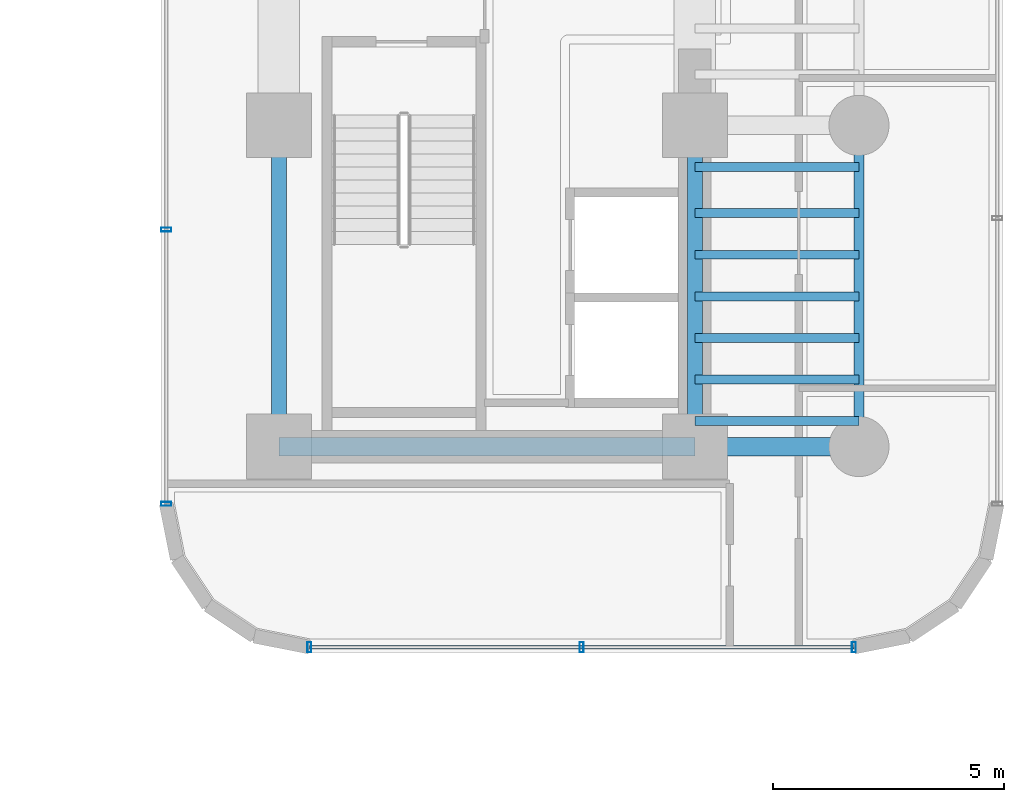
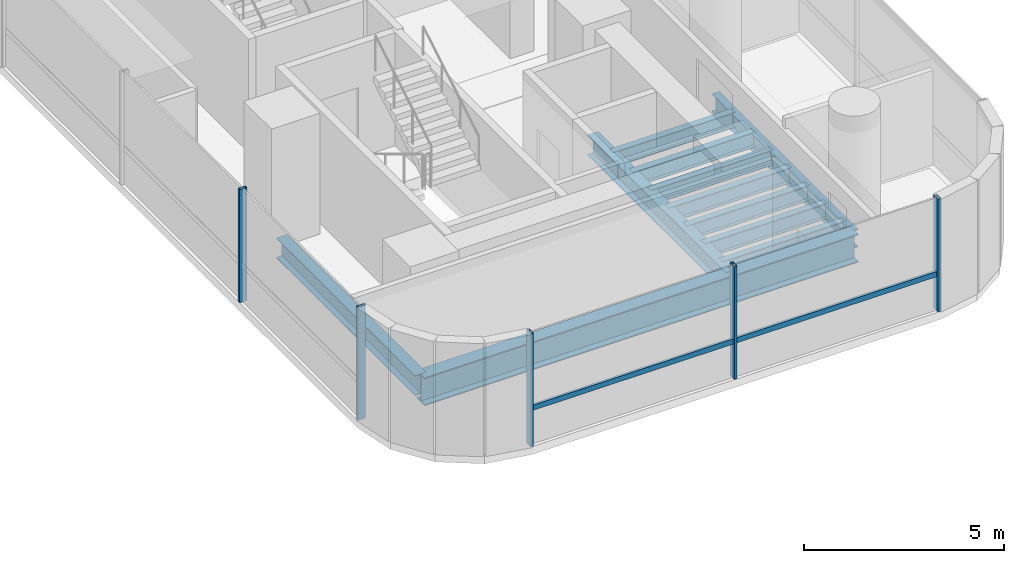
# One storey, part 14 of 41: 12 beams, 6 members, 2 elements without a shape of their own.
"""IFC4 building model written with IfcOpenShell, lengths in metres."""

from ifc_helpers import new_model, si_unit, direction, frame, origin, origin_2d, place, context, subcontext, project, spatial, hollow_rectangle, i_section, extrude, source, transform, mapped, material, material_profile, profile_set, type_object, element, aggregate, save


model = new_model("IFC4")

# Units and contexts
model_context = context("Model", 3, precision=1e-05, world=origin(), true_north=direction((0.0, 1.0)))
body_context = subcontext(model_context, "Body", "Model", "MODEL_VIEW")
ifc_project = project(units=[si_unit("LENGTHUNIT", "METRE"), si_unit("AREAUNIT", "SQUARE_METRE"), si_unit("VOLUMEUNIT", "CUBIC_METRE"), si_unit("PLANEANGLEUNIT", "RADIAN"), si_unit("MASSUNIT", "GRAM", prefix="KILO")], contexts=[model_context])

# Site, building, storey
site_placement = place(None, origin())
site = spatial("IfcSite", under=ifc_project, at=site_placement, CompositionType="ELEMENT")
building_placement = place(site_placement, origin())
building = spatial("IfcBuilding", under=site, at=building_placement, Name="Valdorenza Pilgrim Sanctuary Tower", CompositionType="ELEMENT")
storey_placement = place(building_placement, frame((0.0, 0.0, 85.199951171875)))
storey = spatial("IfcBuildingStorey", under=building, at=storey_placement, Name="L21", CompositionType="ELEMENT", Elevation=85.199951171875)

# Beams
ifc_material_1 = material(Name="Steel ASTM A992 Grade 50", Category="steel")
ifc_material_profile_1 = material_profile(ifc_material_1, i_section(OverallWidth=0.323974609375, OverallDepth=0.611083984375, WebThickness=0.0126953125, FlangeThickness=0.01904296875, at=origin_2d()), Name="W24X104")
ifc_profile_set_1 = profile_set([ifc_material_profile_1], Name="Steel ASTM A992 Grade 50")
beam_type_1 = type_object("IfcBeamType", Name="STR-BM-GRD-W24B", PredefinedType="BEAM", material=ifc_profile_set_1)
shared_shape_1 = source(origin(), body_context, "Body", "SweptSolid", [
    extrude(i_section(OverallWidth=0.323974609375, OverallDepth=0.611083984375, WebThickness=0.0126953125, FlangeThickness=0.01904296875, at=origin_2d()), origin(), (0.0, 0.0, 1.0), 6.949951171875),
])
for number, where, z_axis, x_axis, name in (
    (1, (15.85009765625, -9.550048828125, -0.54541015625), (0.0, 1.0, 0.0), (-1.0, 0.0, 0.0), "L21 Core Tie Girder CB-W-S1M0"),
    (2, (24.85009765625, -9.550048828125, -0.54541015625), (0.0, 1.0, 0.0), (-1.0, 0.0, 0.0), "L21 Core Tie Girder CB-E-S1M0"),
):
    element("IfcBeam", number, at=place(storey_placement, frame(where, z_axis=z_axis, x_axis=x_axis)), inside=storey, type_object=beam_type_1, Name=name, PredefinedType="BEAM", context=body_context, shape_type="MappedRepresentation", body=[
        mapped(shared_shape_1, transform((0.0, 0.0, 0.0), x_axis=(1.0, 0.0, 0.0), y_axis=(0.0, 1.0, 0.0), z_axis=(0.0, 0.0, 1.0), scale=1.0)),
    ])
ifc_material_profile_2 = material_profile(ifc_material_1, i_section(OverallWidth=0.214111328125, OverallDepth=0.549072265625, WebThickness=0.0146484375, FlangeThickness=0.023681640625, at=origin_2d()), Name="W21X93")
ifc_profile_set_2 = profile_set([ifc_material_profile_2], Name="Steel ASTM A992 Grade 50")
beam_type_2 = type_object("IfcBeamType", Name="STR-BM-SPN-W21A", PredefinedType="SPANDREL", material=ifc_profile_set_2)
shared_shape_2 = source(origin(), body_context, "Body", "SweptSolid", [
    extrude(i_section(OverallWidth=0.214111328125, OverallDepth=0.549072265625, WebThickness=0.0146484375, FlangeThickness=0.023681640625, at=origin_2d()), origin(), (0.0, 0.0, 1.0), 6.949951171875),
])
beam_1_placement = place(storey_placement, frame((28.39990234375, -9.550048828125, -0.514404296875), z_axis=(0.0, 1.0, 0.0), x_axis=(-1.0, 0.0, 0.0)))
element("IfcBeam", 3, at=beam_1_placement, inside=storey, type_object=beam_type_2, Name="L21 Spandrel Beam WB-E-S1M0", PredefinedType="SPANDREL", context=body_context, shape_type="MappedRepresentation", body=[
    mapped(shared_shape_2, transform((0.0, 0.0, 0.0), x_axis=(1.0, 0.0, 0.0), y_axis=(0.0, 1.0, 0.0), z_axis=(0.0, 0.0, 1.0), scale=1.0)),
])
ifc_material_profile_3 = material_profile(ifc_material_1, i_section(OverallWidth=0.193115234375, OverallDepth=0.466064453125, WebThickness=0.011474609375, FlangeThickness=0.01904296875, at=origin_2d()), Name="W18X65")
ifc_profile_set_3 = profile_set([ifc_material_profile_3], Name="Steel ASTM A992 Grade 50")
beam_type_3 = type_object("IfcBeamType", Name="STR-BM-JST-W18A", PredefinedType="JOIST", material=ifc_profile_set_3)
shared_shape_3 = source(origin(), body_context, "Body", "SweptSolid", [
    extrude(i_section(OverallWidth=0.193115234375, OverallDepth=0.466064453125, WebThickness=0.011474609375, FlangeThickness=0.01904296875, at=origin_2d()), origin(), (0.0, 0.0, 1.0), 3.5498046875),
])
for number, where, z_axis, x_axis, name in (
    (4, (24.85009765625, -9.0, -0.472900390625), (1.0, 0.0, 0.0), (0.0, 1.0, 0.0), "L21 Composite Floor Joist JST-WB-1"),
    (5, (24.85009765625, -8.10009765625, -0.472900390625), (1.0, 0.0, 0.0), (0.0, 1.0, 0.0), "L21 Composite Floor Joist JST-WB-2"),
    (6, (24.85009765625, -7.199951171875, -0.472900390625), (1.0, 0.0, 0.0), (0.0, 1.0, 0.0), "L21 Composite Floor Joist JST-WB-3"),
    (7, (24.85009765625, -6.300048828125, -0.472900390625), (1.0, 0.0, 0.0), (0.0, 1.0, 0.0), "L21 Composite Floor Joist JST-WB-4"),
    (8, (24.85009765625, -5.39990234375, -0.472900390625), (1.0, 0.0, 0.0), (0.0, 1.0, 0.0), "L21 Composite Floor Joist JST-WB-5"),
    (9, (24.85009765625, -4.5, -0.472900390625), (1.0, 0.0, 0.0), (0.0, 1.0, 0.0), "L21 Composite Floor Joist JST-WB-6"),
    (10, (24.85009765625, -3.5, -0.472900390625), (1.0, 0.0, 0.0), (0.0, 1.0, 0.0), "L21 Composite Floor Joist JST-WB-7"),
):
    element("IfcBeam", number, at=place(storey_placement, frame(where, z_axis=z_axis, x_axis=x_axis)), inside=storey, type_object=beam_type_3, Name=name, PredefinedType="JOIST", context=body_context, shape_type="MappedRepresentation", body=[
        mapped(shared_shape_3, transform((0.0, 0.0, 0.0), x_axis=(1.0, 0.0, 0.0), y_axis=(0.0, 1.0, 0.0), z_axis=(0.0, 0.0, 1.0), scale=1.0)),
    ])
ifc_material_profile_4 = material_profile(ifc_material_1, i_section(OverallWidth=0.39990234375, OverallDepth=0.862060546875, WebThickness=0.019775390625, FlangeThickness=0.032470703125, at=origin_2d()), Name="W33X221")
ifc_profile_set_4 = profile_set([ifc_material_profile_4], Name="Steel ASTM A992 Grade 50")
beam_type_4 = type_object("IfcBeamType", Name="STR-BM-GRD-W33", PredefinedType="BEAM", material=ifc_profile_set_4)
shared_shape_4 = source(origin(), body_context, "Body", "SweptSolid", [
    extrude(i_section(OverallWidth=0.39990234375, OverallDepth=0.862060546875, WebThickness=0.019775390625, FlangeThickness=0.032470703125, at=origin_2d()), origin(), (0.0, 0.0, 1.0), 9.0),
])
beam_2_placement = place(storey_placement, frame((15.85009765625, -9.550048828125, -0.6708984375), z_axis=(1.0, 0.0, 0.0), x_axis=(0.0, 1.0, 0.0)))
element("IfcBeam", 11, at=beam_2_placement, inside=storey, type_object=beam_type_4, Name="L21 Floor Girder CB-XC-S1", PredefinedType="BEAM", context=body_context, shape_type="MappedRepresentation", body=[
    mapped(shared_shape_4, transform((0.0, 0.0, 0.0), x_axis=(1.0, 0.0, 0.0), y_axis=(0.0, 1.0, 0.0), z_axis=(0.0, 0.0, 1.0), scale=1.0)),
])
shared_shape_5 = source(origin(), body_context, "Body", "SweptSolid", [
    extrude(i_section(OverallWidth=0.39990234375, OverallDepth=0.862060546875, WebThickness=0.019775390625, FlangeThickness=0.032470703125, at=origin_2d()), origin(), (0.0, 0.0, 1.0), 3.5498046875),
])
beam_3_placement = place(storey_placement, frame((24.85009765625, -9.550048828125, -0.6708984375), z_axis=(1.0, 0.0, 0.0), x_axis=(0.0, 1.0, 0.0)))
element("IfcBeam", 12, at=beam_3_placement, inside=storey, type_object=beam_type_4, Name="L21 Floor Girder WB-XE-S1", PredefinedType="BEAM", context=body_context, shape_type="MappedRepresentation", body=[
    mapped(shared_shape_5, transform((0.0, 0.0, 0.0), x_axis=(1.0, 0.0, 0.0), y_axis=(0.0, 1.0, 0.0), z_axis=(0.0, 0.0, 1.0), scale=1.0)),
])

# Curtain wall, members
ifc_material_2 = material(Name="Curtain-wall IGU glazing", Category="glass")
curtain_wall_type = type_object("IfcCurtainWallType", Name="CW-SYS-03", PredefinedType="NOTDEFINED", material=ifc_material_2)
curtain_wall_1_placement = place(storey_placement, origin())
curtain_wall_1 = element("IfcCurtainWall", 13, at=curtain_wall_1_placement, inside=storey, type_object=curtain_wall_type, Name="L21 Curtain Wall CW-L21-1-26", PredefinedType="NOTDEFINED")
ifc_material_3 = material(Name="Anodised aluminium AW-6060", Category="aluminium")
ifc_material_profile_5 = material_profile(ifc_material_3, hollow_rectangle(XDim=0.0849609375, YDim=0.219970703125, WallThickness=0.0048828125, at=origin_2d()), Name="ALU-M 220x85x5")
ifc_profile_set_5 = profile_set([ifc_material_profile_5], Name="Anodised aluminium AW-6060")
member_type_1 = type_object("IfcMemberType", Name="CW-MUL-03", PredefinedType="MULLION", material=ifc_profile_set_5)
shared_shape_6 = source(origin(), body_context, "Body", "SweptSolid", [
    extrude(hollow_rectangle(XDim=0.0849609375, YDim=0.219970703125, WallThickness=0.0048828125, at=origin_2d()), origin(), (0.0, 0.0, 1.0), 3.4599609375),
])
member_1_placement = place(storey_placement, frame((28.289306640625, -13.889892578125, 0.0), z_axis=(0.0, 0.0, 1.0), x_axis=(-1.0, 0.0, 0.0)))
member_1 = element("IfcMember", 14, at=member_1_placement, type_object=member_type_1, Name="CW-L21-1-26 Mullion 1", PredefinedType="MULLION", context=body_context, shape_type="MappedRepresentation", body=[
    mapped(shared_shape_6, transform((0.0, 0.0, 0.0), x_axis=(1.0, 0.0, 0.0), y_axis=(0.0, 1.0, 0.0), z_axis=(0.0, 0.0, 1.0), scale=1.0)),
])
member_2_placement = place(storey_placement, frame((22.39990234375, -13.889892578125, 0.0), z_axis=(0.0, 0.0, 1.0), x_axis=(-1.0, 0.0, 0.0)))
member_2 = element("IfcMember", 15, at=member_2_placement, type_object=member_type_1, Name="CW-L21-1-26 Mullion 2", PredefinedType="MULLION", context=body_context, shape_type="MappedRepresentation", body=[
    mapped(shared_shape_6, transform((0.0, 0.0, 0.0), x_axis=(1.0, 0.0, 0.0), y_axis=(0.0, 1.0, 0.0), z_axis=(0.0, 0.0, 1.0), scale=1.0)),
])
member_3_placement = place(storey_placement, frame((16.5107421875, -13.889892578125, 0.0), z_axis=(0.0, 0.0, 1.0), x_axis=(-1.0, 0.0, 0.0)))
member_3 = element("IfcMember", 16, at=member_3_placement, type_object=member_type_1, Name="CW-L21-1-26 Mullion 3", PredefinedType="MULLION", context=body_context, shape_type="MappedRepresentation", body=[
    mapped(shared_shape_6, transform((0.0, 0.0, 0.0), x_axis=(1.0, 0.0, 0.0), y_axis=(0.0, 1.0, 0.0), z_axis=(0.0, 0.0, 1.0), scale=1.0)),
])

curtain_wall_2_placement = place(storey_placement, origin())
curtain_wall_2 = element("IfcCurtainWall", 17, at=curtain_wall_2_placement, inside=storey, type_object=curtain_wall_type, Name="L21 Curtain Wall CW-L21-1-31", PredefinedType="NOTDEFINED")
member_4_placement = place(storey_placement, frame((13.409912109375, -10.789306640625, 0.0), z_axis=(0.0, 0.0, 1.0), x_axis=(0.0, 1.0, 0.0)))
member_4 = element("IfcMember", 18, at=member_4_placement, type_object=member_type_1, Name="CW-L21-1-31 Mullion 1", PredefinedType="MULLION", context=body_context, shape_type="MappedRepresentation", body=[
    mapped(shared_shape_6, transform((0.0, 0.0, 0.0), x_axis=(1.0, 0.0, 0.0), y_axis=(0.0, 1.0, 0.0), z_axis=(0.0, 0.0, 1.0), scale=1.0)),
])
member_5_placement = place(storey_placement, frame((13.409912109375, -4.85595703125, 0.0), z_axis=(0.0, 0.0, 1.0), x_axis=(0.0, 1.0, 0.0)))
member_5 = element("IfcMember", 19, at=member_5_placement, type_object=member_type_1, Name="CW-L21-1-31 Mullion 2", PredefinedType="MULLION", context=body_context, shape_type="MappedRepresentation", body=[
    mapped(shared_shape_6, transform((0.0, 0.0, 0.0), x_axis=(1.0, 0.0, 0.0), y_axis=(0.0, 1.0, 0.0), z_axis=(0.0, 0.0, 1.0), scale=1.0)),
])
aggregate(curtain_wall_2, [member_4, member_5])

# Member
ifc_material_profile_6 = material_profile(ifc_material_3, hollow_rectangle(XDim=0.074951171875, YDim=0.159912109375, WallThickness=0.00390625, at=origin_2d()), Name="ALU-T 160x75x4")
ifc_profile_set_6 = profile_set([ifc_material_profile_6], Name="Anodised aluminium AW-6060")
member_type_2 = type_object("IfcMemberType", Name="CW-TRN-03", PredefinedType="USERDEFINED", material=ifc_profile_set_6)
shared_shape_7 = source(origin(), body_context, "Body", "SweptSolid", [
    extrude(hollow_rectangle(XDim=0.074951171875, YDim=0.159912109375, WallThickness=0.00390625, at=origin_2d()), origin(), (0.0, 0.0, 1.0), 11.778564453125),
])
member_6_placement = place(storey_placement, frame((28.289306640625, -13.889892578125, 1.1201171875), z_axis=(-1.0, 0.0, 0.0), x_axis=(0.0, -1.0, 0.0)))
member_6 = element("IfcMember", 20, at=member_6_placement, type_object=member_type_2, Name="CW-L21-1-26 Transom 1", ObjectType="TRANSOM", PredefinedType="USERDEFINED", context=body_context, shape_type="MappedRepresentation", body=[
    mapped(shared_shape_7, transform((0.0, 0.0, 0.0), x_axis=(1.0, 0.0, 0.0), y_axis=(0.0, 1.0, 0.0), z_axis=(0.0, 0.0, 1.0), scale=1.0)),
])

aggregate(curtain_wall_1, [member_1, member_2, member_3, member_6])

save(model, "model.ifc")
